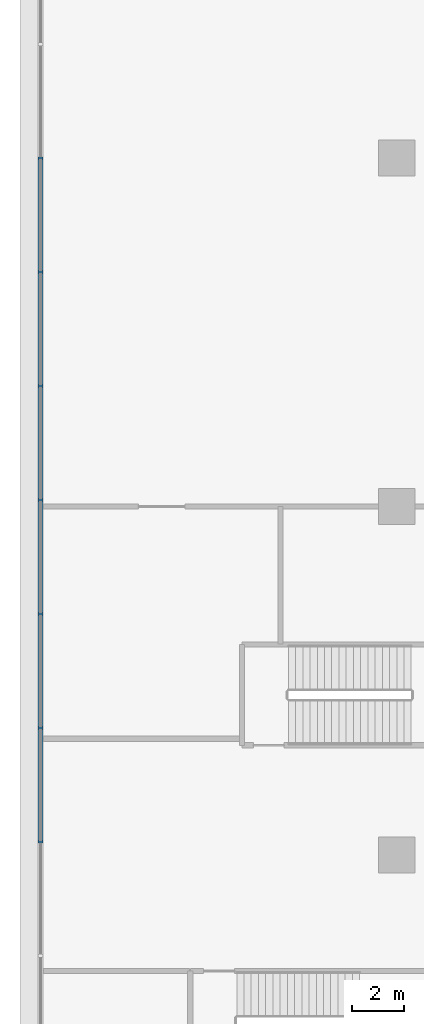
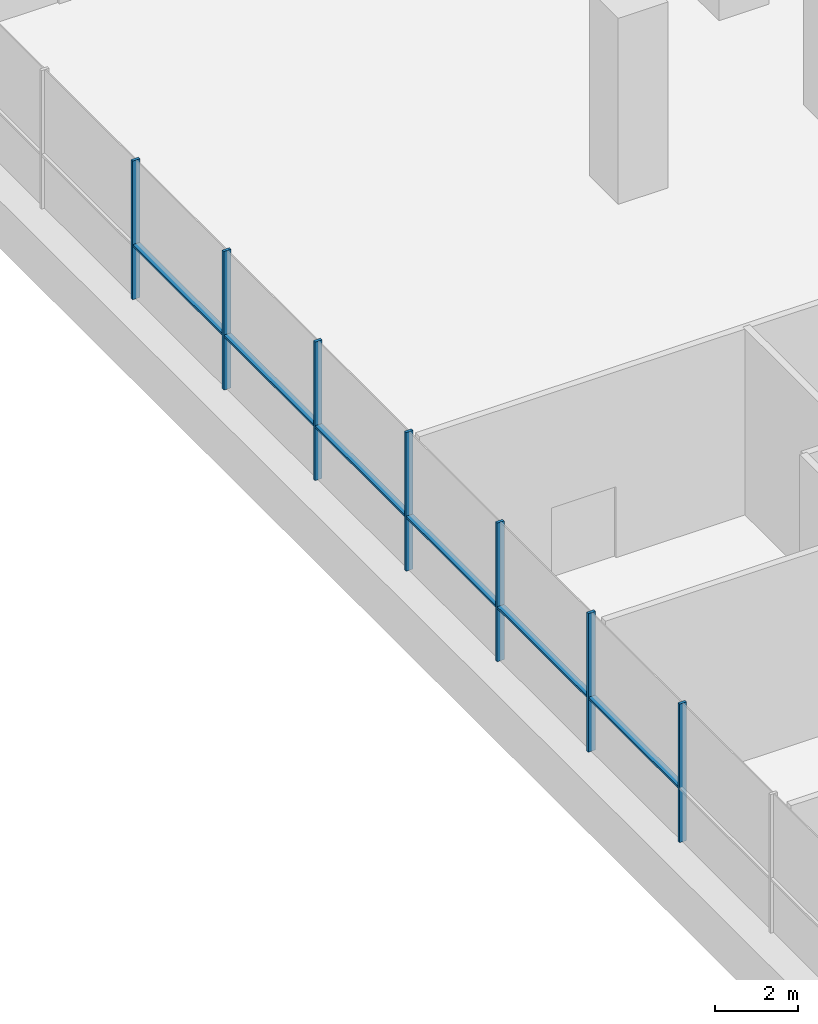
# One storey, part 5 of 52: 13 members, 1 element without a shape of its own.
"""IFC4 building model written with IfcOpenShell, lengths in metres."""

import ifcopenshell
import ifcopenshell.guid

model = None  # the IFC model being written
_history = None  # IfcOwnerHistory: only IFC2X3 demands one
_inside = {}  # id of a spatial element -> (the spatial element, [elements in it])
_under = {}  # id of a project, library or spatial element -> (it, [spatial elements below it])
_declared = {}  # id of a project -> (the project, [libraries it declares])
_typed = {}  # id of a type object -> (the type object, [elements of that type])
_made_of = {}  # id of a material, layer set ... -> (it, [elements and type objects made of it])


def new_model(schema):
    """Start an empty IFC model of exactly this schema.

    Asked for "IFC4X3", IfcOpenShell would pick the latest addendum, in which some entities
    have other attributes; the version numbers below select the first issue.
    IFC2X3 requires an IfcOwnerHistory on every rooted entity: one is made here for all.
    """
    global model, _history
    if schema == "IFC4X3":
        model = ifcopenshell.file(schema_version=(4, 3, 0, 0))
    else:
        model = ifcopenshell.file(schema=schema)
    _inside.clear()
    _under.clear()
    _declared.clear()
    _typed.clear()
    _made_of.clear()
    _history = None
    if model.schema == "IFC2X3":
        org = make("IfcOrganization", Name="unknown")
        user = make(
            "IfcPersonAndOrganization",
            ThePerson=make("IfcPerson", FamilyName="unknown"),
            TheOrganization=org,
        )
        app = make(
            "IfcApplication",
            ApplicationDeveloper=org,
            Version="unknown",
            ApplicationFullName="unknown",
            ApplicationIdentifier="unknown",
        )
        _history = make(
            "IfcOwnerHistory",
            OwningUser=user,
            OwningApplication=app,
            ChangeAction="ADDED",
            CreationDate=0,
        )
    return model


def make(cls, **values):
    """One entity of the class cls with the attributes given. An attribute that is None is left unset."""
    return model.create_entity(
        cls, **{name: value for name, value in values.items() if value is not None}
    )


def rooted(cls, **values):
    """An entity with a GlobalId (a new one), such as an element, a storey or a relation."""
    return make(cls, GlobalId=ifcopenshell.guid.new(), OwnerHistory=_history, **values)


def si_unit(unit_type, name, prefix=None):
    """IfcSIUnit, for example si_unit("LENGTHUNIT", "METRE", prefix="MILLI")."""
    return make("IfcSIUnit", UnitType=unit_type, Prefix=prefix, Name=name)


def assignment(units):
    """IfcUnitAssignment: the units of a project."""
    return None if units is None else make("IfcUnitAssignment", Units=units)


def point(xyz):
    """IfcCartesianPoint."""
    return None if xyz is None else make("IfcCartesianPoint", Coordinates=xyz)


def direction(xyz):
    """IfcDirection."""
    return None if xyz is None else make("IfcDirection", DirectionRatios=xyz)


def frame(location, z_axis=None, x_axis=None):
    """IfcAxis2Placement3D, a coordinate frame: its origin and axes. An axis left out is left unset."""
    return make(
        "IfcAxis2Placement3D",
        Location=point(location),
        Axis=direction(z_axis),
        RefDirection=direction(x_axis),
    )


def frame_2d(location, x_axis=None):
    """IfcAxis2Placement2D, a coordinate frame in the plane: its origin and x axis."""
    return make(
        "IfcAxis2Placement2D", Location=point(location), RefDirection=direction(x_axis)
    )


def origin():
    """The frame at (0, 0, 0) with its axes left unset."""
    return frame((0.0, 0.0, 0.0))


def origin_2d():
    """The frame at (0, 0) in the plane with its x axis left unset."""
    return frame_2d((0.0, 0.0))


def place(relative_to, where):
    """IfcLocalPlacement: puts the frame where relative to a parent placement (None: the world)."""
    return make(
        "IfcLocalPlacement", PlacementRelTo=relative_to, RelativePlacement=where
    )


def context(
    kind, dimensions, precision=None, world=None, true_north=None, identifier=None
):
    """IfcGeometricRepresentationContext, for example the 3D "Model" context."""
    return make(
        "IfcGeometricRepresentationContext",
        ContextIdentifier=identifier,
        ContextType=kind,
        CoordinateSpaceDimension=dimensions,
        Precision=precision,
        WorldCoordinateSystem=world,
        TrueNorth=true_north,
    )


def subcontext(parent, identifier, kind, view, scale=None):
    """IfcGeometricRepresentationSubContext, for example "Body" below "Model"."""
    return make(
        "IfcGeometricRepresentationSubContext",
        ContextIdentifier=identifier,
        ContextType=kind,
        ParentContext=parent,
        TargetScale=scale,
        TargetView=view,
    )


def project(units=None, contexts=None):
    """IfcProject with its units and contexts."""
    return rooted(
        "IfcProject",
        Name="project",
        RepresentationContexts=contexts,
        UnitsInContext=assignment(units),
    )


def spatial(cls, under=None, at=None, **own):
    """A site, building, storey or space (cls), placed at a placement, below another one or the project."""
    s = rooted(cls, ObjectPlacement=at, **own)
    if under is not None:
        _under.setdefault(under.id(), (under, []))[1].append(s)
    return s


def polyline(points):
    """IfcPolyline through the points."""
    return make("IfcPolyline", Points=[point(p) for p in points])


def profile(cls, at=None, kind="AREA", **sizes):
    """A parametric profile (cls). Its sizes go by their IFC names, for example OverallWidth=200.0."""
    return make(cls, ProfileType=kind, Position=at, **sizes)


def rectangle(**sizes):
    """IfcRectangleProfileDef."""
    return profile("IfcRectangleProfileDef", **sizes)


def outline(outer, holes=None, kind="AREA"):
    """IfcArbitraryClosedProfileDef: a profile drawn as a closed curve; with holes, ...WithVoids."""
    if holes is None:
        return make("IfcArbitraryClosedProfileDef", ProfileType=kind, OuterCurve=outer)
    return make(
        "IfcArbitraryProfileDefWithVoids",
        ProfileType=kind,
        OuterCurve=outer,
        InnerCurves=holes,
    )


def extrude(swept, where, along, depth):
    """IfcExtrudedAreaSolid: the profile swept, set in the frame where, extruded along a direction by depth."""
    return make(
        "IfcExtrudedAreaSolid",
        SweptArea=swept,
        Position=where,
        ExtrudedDirection=direction(along),
        Depth=depth,
    )


def shape(context_of_items, identifier, shape_type, items):
    """IfcShapeRepresentation: the items that make up one representation, for example the "Body"."""
    return make(
        "IfcShapeRepresentation",
        ContextOfItems=context_of_items,
        RepresentationIdentifier=identifier,
        RepresentationType=shape_type,
        Items=items,
    )


def material(Name=None, Category=None):
    """IfcMaterial."""
    return make("IfcMaterial", Name=Name, Category=Category)


def layer(
    of_material, thickness, ventilated=None, Name=None, Category=None, Priority=None
):
    """IfcMaterialLayer: one layer of a wall or slab, of a material (None: an air gap)."""
    return make(
        "IfcMaterialLayer",
        Material=of_material,
        LayerThickness=thickness,
        IsVentilated=ventilated,
        Name=Name,
        Category=Category,
        Priority=Priority,
    )


def layer_set(layers, Name=None):
    """IfcMaterialLayerSet."""
    return make("IfcMaterialLayerSet", MaterialLayers=layers, LayerSetName=Name)


def material_profile(
    of_material, cross_section, Name=None, Category=None, Priority=None
):
    """IfcMaterialProfile: a cross section and its material."""
    return make(
        "IfcMaterialProfile",
        Name=Name,
        Material=of_material,
        Profile=cross_section,
        Priority=Priority,
        Category=Category,
    )


def profile_set(profiles, Name=None, composite=None):
    """IfcMaterialProfileSet."""
    return make(
        "IfcMaterialProfileSet",
        Name=Name,
        MaterialProfiles=profiles,
        CompositeProfile=composite,
    )


def made_of(thing, what):
    """Note that an element or type object is made of a material, layer set ...; save() writes the relation."""
    if what is not None:
        _made_of.setdefault(what.id(), (what, []))[1].append(thing)
    return thing


def type_object(cls, material=None, **own):
    """A type object (cls), such as IfcWallType, which elements share."""
    return made_of(rooted(cls, **own), material)


def element(
    cls,
    number,
    at=None,
    inside=None,
    cuts=None,
    type_object=None,
    material=None,
    context=None,
    identifier="Body",
    shape_type=None,
    held_by="IfcProductDefinitionShape",
    body=None,
    shapes=None,
    **own,
):
    """One element of the class cls, such as IfcWall. Its Tag is "e" and its number.

    at: its placement. inside: the storey or other place that contains it. cuts: it is an
    opening in that element (IfcRelVoidsElement). A single representation is given by context,
    identifier, shape_type and body (its items); several are given by shapes. held_by: the class
    of the entity that holds the representations. save() writes the other relations.
    """
    e = rooted(cls, Tag="e%d" % number, ObjectPlacement=at, **own)
    if body is not None:
        shapes = [shape(context, identifier, shape_type, body)]
    if shapes is not None:
        e.Representation = make(held_by, Representations=shapes)
    if inside is not None:
        _inside.setdefault(inside.id(), (inside, []))[1].append(e)
    if cuts is not None:
        rooted(
            "IfcRelVoidsElement", RelatingBuildingElement=cuts, RelatedOpeningElement=e
        )
    if type_object is not None:
        _typed.setdefault(type_object.id(), (type_object, []))[1].append(e)
    return made_of(e, material)


def aggregate(whole, parts):
    """IfcRelAggregates: a whole, such as a stair, and the parts it consists of."""
    return rooted("IfcRelAggregates", RelatingObject=whole, RelatedObjects=parts)


def save(model, path):
    """Write the relations noted so far, then the file.

    IfcRelAggregates (storeys below a building ...), IfcRelContainedInSpatialStructure (elements
    in a storey), IfcRelDefinesByType, IfcRelAssociatesMaterial and IfcRelDeclares: one each for
    every whole, place, type object, material and project.
    """
    for whole, parts in _under.values():
        aggregate(whole, parts)
    for where, things in _inside.values():
        rooted(
            "IfcRelContainedInSpatialStructure",
            RelatedElements=things,
            RelatingStructure=where,
        )
    for kind, things in _typed.values():
        rooted("IfcRelDefinesByType", RelatedObjects=things, RelatingType=kind)
    for what, things in _made_of.values():
        rooted("IfcRelAssociatesMaterial", RelatedObjects=things, RelatingMaterial=what)
    for by, libraries in _declared.values():
        rooted("IfcRelDeclares", RelatingContext=by, RelatedDefinitions=libraries)
    model.write(path)


model = new_model("IFC4")

# Units and contexts
model_context = context("Model", 3, precision=1e-05, world=origin(), true_north=direction((0.0, 1.0)))
body_context = subcontext(model_context, "Body", "Model", "MODEL_VIEW")
ifc_project = project(units=[si_unit("LENGTHUNIT", "METRE"), si_unit("AREAUNIT", "SQUARE_METRE"), si_unit("VOLUMEUNIT", "CUBIC_METRE"), si_unit("PLANEANGLEUNIT", "RADIAN"), si_unit("MASSUNIT", "GRAM", prefix="KILO")], contexts=[model_context])

# Site, building, storey
site_placement = place(None, origin())
site = spatial("IfcSite", under=ifc_project, at=site_placement, CompositionType="ELEMENT")
building_placement = place(site_placement, origin())
building = spatial("IfcBuilding", under=site, at=building_placement, Name="Tamarind Cross Interchange Tower", CompositionType="ELEMENT")
storey_placement = place(building_placement, frame((0.0, 0.0, 9.0)))
storey = spatial("IfcBuildingStorey", under=building, at=storey_placement, Name="L01", CompositionType="ELEMENT", Elevation=9.0)

# Curtain wall, members
ifc_material = material(Name="Aluminium 6063-T6", Category="aluminium")
ifc_layer = layer(ifc_material, 0.199951171875)
ifc_layer_set = layer_set([ifc_layer], Name="Aluminium 6063-T6")
curtain_wall_type = type_object("IfcCurtainWallType", Name="Podium shopfront and station curtain wall", PredefinedType="NOTDEFINED", material=ifc_layer_set)
curtain_wall_placement = place(storey_placement, origin())
curtain_wall = element("IfcCurtainWall", 1, at=curtain_wall_placement, inside=storey, type_object=curtain_wall_type, Name="CWS-L01-04", PredefinedType="NOTDEFINED")
ifc_material_profile = material_profile(ifc_material, rectangle(XDim=0.080078125, YDim=0.199951171875, at=origin_2d()), Name="Mullion CW3")
ifc_profile_set = profile_set([ifc_material_profile], Name="Aluminium 6063-T6")
member_type_1 = type_object("IfcMemberType", Name="Mullion CW3", PredefinedType="MULLION", material=ifc_profile_set)
member_1_placement = place(storey_placement, frame((-67.800048828125, 0.0, 1.39990234375), z_axis=(0.0, 0.0, 1.0), x_axis=(0.0, -1.0, 0.0)))
member_1 = element("IfcMember", 2, at=member_1_placement, type_object=member_type_1, Name="CWM-L01-04-12", PredefinedType="MULLION", context=body_context, shape_type="SweptSolid", body=[
    extrude(rectangle(XDim=0.080078125, YDim=0.199951171875, at=origin_2d()), origin(), (0.0, 0.0, 1.0), 4.10009765625),
])
member_2_placement = place(storey_placement, frame((-67.800048828125, -4.415283203125, 1.39990234375), z_axis=(0.0, 0.0, 1.0), x_axis=(0.0, -1.0, 0.0)))
member_2 = element("IfcMember", 3, at=member_2_placement, type_object=member_type_1, Name="CWM-L01-04-13", PredefinedType="MULLION", context=body_context, shape_type="SweptSolid", body=[
    extrude(rectangle(XDim=0.080078125, YDim=0.199951171875, at=origin_2d()), origin(), (0.0, 0.0, 1.0), 4.10009765625),
])
member_3_placement = place(storey_placement, frame((-67.800048828125, -8.830810546875, 1.39990234375), z_axis=(0.0, 0.0, 1.0), x_axis=(0.0, -1.0, 0.0)))
member_3 = element("IfcMember", 4, at=member_3_placement, type_object=member_type_1, Name="CWM-L01-04-14", PredefinedType="MULLION", context=body_context, shape_type="SweptSolid", body=[
    extrude(rectangle(XDim=0.080078125, YDim=0.199951171875, at=origin_2d()), origin(), (0.0, 0.0, 1.0), 4.10009765625),
])
member_4_placement = place(storey_placement, frame((-67.800048828125, -13.24609375, 1.39990234375), z_axis=(0.0, 0.0, 1.0), x_axis=(0.0, -1.0, 0.0)))
member_4 = element("IfcMember", 5, at=member_4_placement, type_object=member_type_1, Name="CWM-L01-04-15", PredefinedType="MULLION", context=body_context, shape_type="SweptSolid", body=[
    extrude(rectangle(XDim=0.080078125, YDim=0.199951171875, at=origin_2d()), origin(), (0.0, 0.0, 1.0), 4.10009765625),
])
member_5_placement = place(storey_placement, frame((-67.800048828125, -17.661376953125, 1.39990234375), z_axis=(0.0, 0.0, 1.0), x_axis=(0.0, -1.0, 0.0)))
member_5 = element("IfcMember", 6, at=member_5_placement, type_object=member_type_1, Name="CWM-L01-04-16", PredefinedType="MULLION", context=body_context, shape_type="SweptSolid", body=[
    extrude(rectangle(XDim=0.080078125, YDim=0.199951171875, at=origin_2d()), origin(), (0.0, 0.0, 1.0), 4.10009765625),
])
member_6_placement = place(storey_placement, frame((-67.800048828125, -22.07666015625, 1.39990234375), z_axis=(0.0, 0.0, 1.0), x_axis=(0.0, -1.0, 0.0)))
member_6 = element("IfcMember", 7, at=member_6_placement, type_object=member_type_1, Name="CWM-L01-04-17", PredefinedType="MULLION", context=body_context, shape_type="SweptSolid", body=[
    extrude(rectangle(XDim=0.080078125, YDim=0.199951171875, at=origin_2d()), origin(), (0.0, 0.0, 1.0), 4.10009765625),
])
member_7_placement = place(storey_placement, frame((-67.800048828125, -26.4921875, 1.39990234375), z_axis=(0.0, 0.0, 1.0), x_axis=(0.0, -1.0, 0.0)))
member_7 = element("IfcMember", 8, at=member_7_placement, type_object=member_type_1, Name="CWM-L01-04-18", PredefinedType="MULLION", context=body_context, shape_type="SweptSolid", body=[
    extrude(rectangle(XDim=0.080078125, YDim=0.199951171875, at=origin_2d()), origin(), (0.0, 0.0, 1.0), 4.10009765625),
])
member_type_2 = type_object("IfcMemberType", Name="Podium intermediate transom", PredefinedType="USERDEFINED", material=ifc_material)
member_8_placement = place(storey_placement, frame((0.0, 0.0, 2.969970703125)))
member_8 = element("IfcMember", 9, at=member_8_placement, type_object=member_type_2, Name="CWT-L01-04-I0-12", ObjectType="TRANSOM", PredefinedType="USERDEFINED", context=body_context, shape_type="SweptSolid", body=[
    extrude(outline(polyline([(-67.699951171875, -0.0400390625), (-67.699951171875, -4.375244140625), (-67.89990234375, -4.375244140625), (-67.89990234375, -0.0400390625), (-67.699951171875, -0.0400390625)])), origin(), (0.0, 0.0, 1.0), 0.06005859375),
])
member_9_placement = place(storey_placement, frame((0.0, 0.0, 2.969970703125)))
member_9 = element("IfcMember", 10, at=member_9_placement, type_object=member_type_2, Name="CWT-L01-04-I0-13", ObjectType="TRANSOM", PredefinedType="USERDEFINED", context=body_context, shape_type="SweptSolid", body=[
    extrude(outline(polyline([(-67.699951171875, -4.455322265625), (-67.699951171875, -8.790771484375), (-67.89990234375, -8.790771484375), (-67.89990234375, -4.455322265625), (-67.699951171875, -4.455322265625)])), origin(), (0.0, 0.0, 1.0), 0.06005859375),
])
member_10_placement = place(storey_placement, frame((0.0, 0.0, 2.969970703125)))
member_10 = element("IfcMember", 11, at=member_10_placement, type_object=member_type_2, Name="CWT-L01-04-I0-14", ObjectType="TRANSOM", PredefinedType="USERDEFINED", context=body_context, shape_type="SweptSolid", body=[
    extrude(outline(polyline([(-67.699951171875, -8.87060546875), (-67.699951171875, -13.2060546875), (-67.89990234375, -13.2060546875), (-67.89990234375, -8.87060546875), (-67.699951171875, -8.87060546875)])), origin(), (0.0, 0.0, 1.0), 0.06005859375),
])
member_11_placement = place(storey_placement, frame((0.0, 0.0, 2.969970703125)))
member_11 = element("IfcMember", 12, at=member_11_placement, type_object=member_type_2, Name="CWT-L01-04-I0-15", ObjectType="TRANSOM", PredefinedType="USERDEFINED", context=body_context, shape_type="SweptSolid", body=[
    extrude(outline(polyline([(-67.699951171875, -13.2861328125), (-67.699951171875, -17.621337890625), (-67.89990234375, -17.621337890625), (-67.89990234375, -13.2861328125), (-67.699951171875, -13.2861328125)])), origin(), (0.0, 0.0, 1.0), 0.06005859375),
])
member_12_placement = place(storey_placement, frame((0.0, 0.0, 2.969970703125)))
member_12 = element("IfcMember", 13, at=member_12_placement, type_object=member_type_2, Name="CWT-L01-04-I0-16", ObjectType="TRANSOM", PredefinedType="USERDEFINED", context=body_context, shape_type="SweptSolid", body=[
    extrude(outline(polyline([(-67.699951171875, -17.701416015625), (-67.699951171875, -22.036865234375), (-67.89990234375, -22.036865234375), (-67.89990234375, -17.701416015625), (-67.699951171875, -17.701416015625)])), origin(), (0.0, 0.0, 1.0), 0.06005859375),
])
member_13_placement = place(storey_placement, frame((0.0, 0.0, 2.969970703125)))
member_13 = element("IfcMember", 14, at=member_13_placement, type_object=member_type_2, Name="CWT-L01-04-I0-17", ObjectType="TRANSOM", PredefinedType="USERDEFINED", context=body_context, shape_type="SweptSolid", body=[
    extrude(outline(polyline([(-67.699951171875, -22.11669921875), (-67.699951171875, -26.4521484375), (-67.89990234375, -26.4521484375), (-67.89990234375, -22.11669921875), (-67.699951171875, -22.11669921875)])), origin(), (0.0, 0.0, 1.0), 0.06005859375),
])
aggregate(curtain_wall, [member_1, member_2, member_3, member_4, member_5, member_6, member_7, member_8, member_9, member_10, member_11, member_12, member_13])

save(model, "model.ifc")
